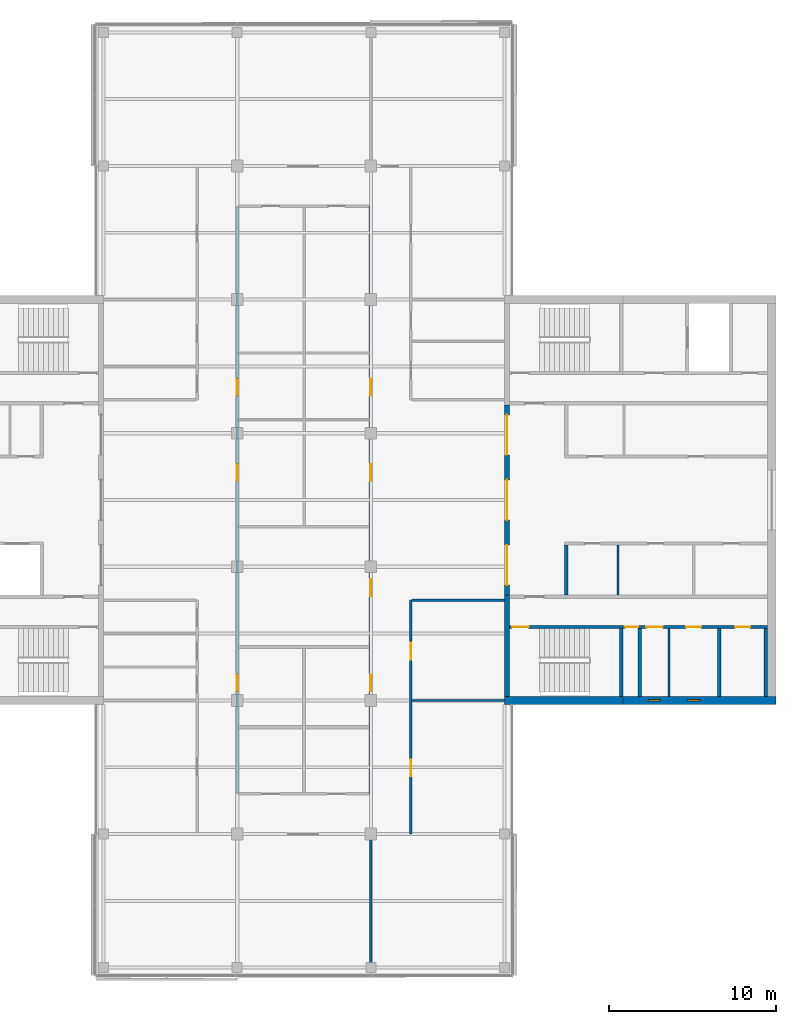
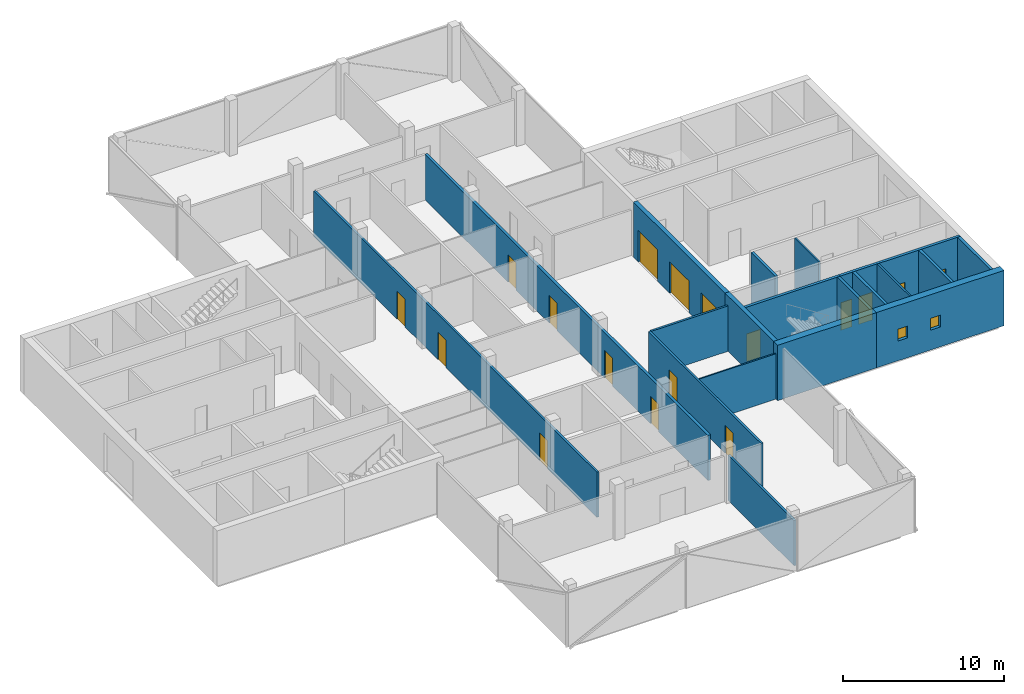
# One storey, part 10 of 16: 19 walls, 17 doors, 2 windows, 19 openings.
"""IFC4 building model written with IfcOpenShell, lengths in metres."""

from ifc_helpers import new_model, si_unit, direction, frame, frame_2d, origin, place, context, subcontext, project, spatial, rectangle, extrude, material, layer, layer_set, constituent, constituent_set, type_object, element, fill, save


model = new_model("IFC4")

# Units and contexts
model_context = context("Model", 3, precision=1e-05, world=origin(), true_north=direction((0.0, 1.0)))
body_context = subcontext(model_context, "Body", "Model", "MODEL_VIEW")
ifc_project = project(units=[si_unit("LENGTHUNIT", "METRE"), si_unit("AREAUNIT", "SQUARE_METRE"), si_unit("VOLUMEUNIT", "CUBIC_METRE"), si_unit("PLANEANGLEUNIT", "RADIAN"), si_unit("MASSUNIT", "GRAM", prefix="KILO")], contexts=[model_context])

# Site, building, storey
site_placement = place(None, origin())
site = spatial("IfcSite", under=ifc_project, at=site_placement, CompositionType="ELEMENT")
building_placement = place(site_placement, origin())
building = spatial("IfcBuilding", under=site, at=building_placement, Name="Crosswind Convention Tower", CompositionType="ELEMENT")
storey_placement = place(building_placement, frame((0.0, 0.0, 278.699951171875)))
storey = spatial("IfcBuildingStorey", under=building, at=storey_placement, Name="L60", CompositionType="ELEMENT", Elevation=278.699951171875)

# Wall
ifc_material_1 = material(Name="Concrete blockwork", Category="masonry")
ifc_layer_1 = layer(ifc_material_1, 0.199951171875)
ifc_layer_set_1 = layer_set([ifc_layer_1], Name="Blockwork partition wall 200")
wall_type_1 = type_object("IfcWallType", Name="Blockwork partition wall 200", PredefinedType="PARTITIONING", material=ifc_layer_set_1)
wall_1_placement = place(storey_placement, frame((145.10009765625, 88.25, 0.0), z_axis=(0.0, 0.0, 1.0), x_axis=(0.0, 1.0, 0.0)))
element("IfcWall", 1, at=wall_1_placement, inside=storey, type_object=wall_type_1, Name="Wall MRSE E L60", PredefinedType="PARTITIONING", context=body_context, shape_type="SweptSolid", body=[
    extrude(rectangle(XDim=4.050048828125, YDim=0.199951171875, at=frame_2d((2.02490234375, 0.0))), origin(), (0.0, 0.0, 1.0), 4.199951171875),
])

# Wall, openings, doors
ifc_layer_2 = layer(ifc_material_1, 0.199951171875)
ifc_layer_set_2 = layer_set([ifc_layer_2], Name="COMPARTMENT WALL 200 BLOCKWORK")
wall_type_2 = type_object("IfcWallType", Name="COMPARTMENT WALL 200 BLOCKWORK", PredefinedType="SOLIDWALL", material=ifc_layer_set_2)
wall_2_placement = place(storey_placement, frame((129.0, 82.39990234375, 0.0), z_axis=(0.0, 0.0, 1.0), x_axis=(0.0, 1.0, 0.0)))
wall_2 = element("IfcWall", 2, at=wall_2_placement, inside=storey, type_object=wall_type_2, Name="Compartment wall WT42", PredefinedType="SOLIDWALL", context=body_context, shape_type="SweptSolid", body=[
    extrude(rectangle(XDim=35.2001953125, YDim=0.199951171875, at=frame_2d((17.60009765625, 0.0))), origin(), (0.0, 0.0, 1.0), 3.44287109375),
])
opening_1_placement = place(wall_2_placement, frame((6.14990234375, 0.0, 0.0)))
opening_1 = element("IfcOpeningElement", 3, at=opening_1_placement, cuts=wall_2, Name="Opening L60-68", PredefinedType="OPENING", context=body_context, shape_type="SweptSolid", body=[
    extrude(rectangle(XDim=1.0, YDim=2.10009765625, at=frame_2d((0.5, 1.050048828125))), frame((0.0, 0.10986328125, 0.0), z_axis=(0.0, -1.0, 0.0), x_axis=(1.0, 0.0, 0.0)), (0.0, 0.0, 1.0), 0.219970703125),
])
opening_2_placement = place(wall_2_placement, frame((11.85009765625, 0.0, 0.0)))
opening_2 = element("IfcOpeningElement", 4, at=opening_2_placement, cuts=wall_2, Name="Opening L60-69", PredefinedType="OPENING", context=body_context, shape_type="SweptSolid", body=[
    extrude(rectangle(XDim=1.0, YDim=2.10009765625, at=frame_2d((0.5, 1.050048828125))), frame((0.0, 0.10986328125, 0.0), z_axis=(0.0, -1.0, 0.0), x_axis=(1.0, 0.0, 0.0)), (0.0, 0.0, 1.0), 0.219970703125),
])
opening_3_placement = place(wall_2_placement, frame((18.75, 0.0, 0.0)))
opening_3 = element("IfcOpeningElement", 5, at=opening_3_placement, cuts=wall_2, Name="Opening L60-71", PredefinedType="OPENING", context=body_context, shape_type="SweptSolid", body=[
    extrude(rectangle(XDim=1.0, YDim=2.10009765625, at=frame_2d((0.5, 1.050048828125))), frame((0.0, 0.10986328125, 0.0), z_axis=(0.0, -1.0, 0.0), x_axis=(1.0, 0.0, 0.0)), (0.0, 0.0, 1.0), 0.219970703125),
])
opening_4_placement = place(wall_2_placement, frame((23.85009765625, 0.0, 0.0)))
opening_4 = element("IfcOpeningElement", 6, at=opening_4_placement, cuts=wall_2, Name="Opening L60-73", PredefinedType="OPENING", context=body_context, shape_type="SweptSolid", body=[
    extrude(rectangle(XDim=1.0, YDim=2.10009765625, at=frame_2d((0.5, 1.050048828125))), frame((0.0, 0.10986328125, 0.0), z_axis=(0.0, -1.0, 0.0), x_axis=(1.0, 0.0, 0.0)), (0.0, 0.0, 1.0), 0.219970703125),
])
ifc_material_2 = material(Name="Steel fire door", Category="steel")
door_type_1 = type_object("IfcDoorType", Name="PLANT ROOM DOOR 1000X2100 FD60", OperationType="NOTDEFINED", PredefinedType="DOOR", material=ifc_material_2)
door_1_placement = place(opening_1_placement, origin())
door_1 = element("IfcDoor", 7, at=door_1_placement, inside=storey, type_object=door_type_1, Name="Door L60-68", ObjectType="D43", OperationType="SINGLE_SWING_LEFT", OverallHeight=2.10009765625, OverallWidth=1.0, PredefinedType="DOOR", context=body_context, shape_type="SweptSolid", body=[
    extrude(rectangle(XDim=1.0, YDim=2.10009765625, at=frame_2d((0.5, 1.050048828125))), frame((0.0, 0.02490234375, 0.0), z_axis=(0.0, -1.0, 0.0), x_axis=(1.0, 0.0, 0.0)), (0.0, 0.0, 1.0), 0.050048828125),
])
fill(opening_1, door_1)
ifc_material_3 = material(Name="Timber fire door", Category="wood")
door_type_2 = type_object("IfcDoorType", Name="TENANCY ENTRANCE DOOR 1000X2100 FD30S", OperationType="NOTDEFINED", PredefinedType="DOOR", material=ifc_material_3)
door_2_placement = place(opening_2_placement, origin())
door_2 = element("IfcDoor", 8, at=door_2_placement, inside=storey, type_object=door_type_2, Name="Door L60-69", ObjectType="D41", OperationType="SINGLE_SWING_RIGHT", OverallHeight=2.10009765625, OverallWidth=1.0, PredefinedType="DOOR", context=body_context, shape_type="SweptSolid", body=[
    extrude(rectangle(XDim=1.0, YDim=2.10009765625, at=frame_2d((0.5, 1.050048828125))), frame((0.0, 0.02490234375, 0.0), z_axis=(0.0, -1.0, 0.0), x_axis=(1.0, 0.0, 0.0)), (0.0, 0.0, 1.0), 0.050048828125),
])
fill(opening_2, door_2)
door_3_placement = place(opening_3_placement, origin())
door_3 = element("IfcDoor", 9, at=door_3_placement, inside=storey, type_object=door_type_2, Name="Door L60-71", ObjectType="D41", OperationType="SINGLE_SWING_RIGHT", OverallHeight=2.10009765625, OverallWidth=1.0, PredefinedType="DOOR", context=body_context, shape_type="SweptSolid", body=[
    extrude(rectangle(XDim=1.0, YDim=2.10009765625, at=frame_2d((0.5, 1.050048828125))), frame((0.0, 0.02490234375, 0.0), z_axis=(0.0, -1.0, 0.0), x_axis=(1.0, 0.0, 0.0)), (0.0, 0.0, 1.0), 0.050048828125),
])
fill(opening_3, door_3)
door_4_placement = place(opening_4_placement, origin())
door_4 = element("IfcDoor", 10, at=door_4_placement, inside=storey, type_object=door_type_2, Name="Door L60-73", ObjectType="D41", OperationType="SINGLE_SWING_LEFT", OverallHeight=2.10009765625, OverallWidth=1.0, PredefinedType="DOOR", context=body_context, shape_type="SweptSolid", body=[
    extrude(rectangle(XDim=1.0, YDim=2.10009765625, at=frame_2d((0.5, 1.050048828125))), frame((0.0, 0.02490234375, 0.0), z_axis=(0.0, -1.0, 0.0), x_axis=(1.0, 0.0, 0.0)), (0.0, 0.0, 1.0), 0.050048828125),
])
fill(opening_4, door_4)

ifc_material_4 = material(Name="Concrete C50/60", Category="concrete")
ifc_layer_3 = layer(ifc_material_4, 0.300048828125)
ifc_layer_set_3 = layer_set([ifc_layer_3], Name="Concrete C50/60")
wall_type_3 = type_object("IfcWallType", Name="Concrete inner core wall 300", PredefinedType="SHEAR", material=ifc_layer_set_3)
wall_3_placement = place(storey_placement, frame((137.14990234375, 94.300048828125, 0.0), z_axis=(0.0, 0.0, 1.0), x_axis=(0.0, 1.0, 0.0)))
wall_3 = element("IfcWall", 11, at=wall_3_placement, inside=storey, type_object=wall_type_3, Name="Wall SCR E L60", PredefinedType="SHEAR", context=body_context, shape_type="SweptSolid", body=[
    extrude(rectangle(XDim=11.39990234375, YDim=0.300048828125, at=frame_2d((5.699951171875, 0.0))), origin(), (0.0, 0.0, 1.0), 4.199951171875),
])
opening_5_placement = place(wall_3_placement, frame((0.60009765625, 0.0, 0.0)))
opening_5 = element("IfcOpeningElement", 12, at=opening_5_placement, cuts=wall_3, Name="Opening D100", PredefinedType="OPENING", context=body_context, shape_type="SweptSolid", body=[
    extrude(rectangle(XDim=2.39990234375, YDim=2.39990234375, at=frame_2d((1.199951171875, 1.199951171875))), frame((0.0, 0.159912109375, 0.0), z_axis=(0.0, -1.0, 0.0), x_axis=(1.0, 0.0, 0.0)), (0.0, 0.0, 1.0), 0.320068359375),
])
opening_6_placement = place(wall_3_placement, frame((4.5, 0.0, 0.0)))
opening_6 = element("IfcOpeningElement", 13, at=opening_6_placement, cuts=wall_3, Name="Opening D100", PredefinedType="OPENING", context=body_context, shape_type="SweptSolid", body=[
    extrude(rectangle(XDim=2.39990234375, YDim=2.39990234375, at=frame_2d((1.199951171875, 1.199951171875))), frame((0.0, 0.159912109375, 0.0), z_axis=(0.0, -1.0, 0.0), x_axis=(1.0, 0.0, 0.0)), (0.0, 0.0, 1.0), 0.320068359375),
])
opening_7_placement = place(wall_3_placement, frame((8.39990234375, 0.0, 0.0)))
opening_7 = element("IfcOpeningElement", 14, at=opening_7_placement, cuts=wall_3, Name="Opening D100", PredefinedType="OPENING", context=body_context, shape_type="SweptSolid", body=[
    extrude(rectangle(XDim=2.39990234375, YDim=2.39990234375, at=frame_2d((1.199951171875, 1.199951171875))), frame((0.0, 0.159912109375, 0.0), z_axis=(0.0, -1.0, 0.0), x_axis=(1.0, 0.0, 0.0)), (0.0, 0.0, 1.0), 0.320068359375),
])
ifc_material_5 = material(Name="Steel fire door with glazed vision panels", Category="steel")
door_type_3 = type_object("IfcDoorType", Name="Fire-rated double door 2400x2400", OperationType="DOUBLE_DOOR_SINGLE_SWING", PredefinedType="DOOR", material=ifc_material_5)
door_5_placement = place(opening_5_placement, origin())
door_5 = element("IfcDoor", 15, at=door_5_placement, inside=storey, type_object=door_type_3, Name="Lobby door 1 L60", ObjectType="D100", OperationType="DOUBLE_DOOR_SINGLE_SWING", OverallHeight=2.39990234375, OverallWidth=2.39990234375, PredefinedType="DOOR", context=body_context, shape_type="SweptSolid", body=[
    extrude(rectangle(XDim=2.39990234375, YDim=2.39990234375, at=frame_2d((1.199951171875, 1.199951171875))), frame((0.0, 0.02490234375, 0.0), z_axis=(0.0, -1.0, 0.0), x_axis=(1.0, 0.0, 0.0)), (0.0, 0.0, 1.0), 0.050048828125),
])
fill(opening_5, door_5)
door_6_placement = place(opening_6_placement, origin())
door_6 = element("IfcDoor", 16, at=door_6_placement, inside=storey, type_object=door_type_3, Name="Lobby door 2 L60", ObjectType="D100", OperationType="DOUBLE_DOOR_SINGLE_SWING", OverallHeight=2.39990234375, OverallWidth=2.39990234375, PredefinedType="DOOR", context=body_context, shape_type="SweptSolid", body=[
    extrude(rectangle(XDim=2.39990234375, YDim=2.39990234375, at=frame_2d((1.199951171875, 1.199951171875))), frame((0.0, 0.02490234375, 0.0), z_axis=(0.0, -1.0, 0.0), x_axis=(1.0, 0.0, 0.0)), (0.0, 0.0, 1.0), 0.050048828125),
])
fill(opening_6, door_6)
door_7_placement = place(opening_7_placement, origin())
door_7 = element("IfcDoor", 17, at=door_7_placement, inside=storey, type_object=door_type_3, Name="Lobby door 3 L60", ObjectType="D100", OperationType="DOUBLE_DOOR_SINGLE_SWING", OverallHeight=2.39990234375, OverallWidth=2.39990234375, PredefinedType="DOOR", context=body_context, shape_type="SweptSolid", body=[
    extrude(rectangle(XDim=2.39990234375, YDim=2.39990234375, at=frame_2d((1.199951171875, 1.199951171875))), frame((0.0, 0.02490234375, 0.0), z_axis=(0.0, -1.0, 0.0), x_axis=(1.0, 0.0, 0.0)), (0.0, 0.0, 1.0), 0.050048828125),
])
fill(opening_7, door_7)

# Walls
wall_4_placement = place(storey_placement, frame((137.14990234375, 88.25, 0.0), z_axis=(0.0, 0.0, 1.0), x_axis=(0.0, 1.0, 0.0)))
element("IfcWall", 18, at=wall_4_placement, inside=storey, type_object=wall_type_3, Name="Wall EM E L60", PredefinedType="SHEAR", context=body_context, shape_type="SweptSolid", body=[
    extrude(rectangle(XDim=6.050048828125, YDim=0.300048828125, at=frame_2d((3.02490234375, 0.0))), origin(), (0.0, 0.0, 1.0), 4.199951171875),
])
ifc_layer_4 = layer(ifc_material_4, 0.199951171875)
ifc_layer_set_4 = layer_set([ifc_layer_4], Name="Concrete C50/60")
wall_type_4 = type_object("IfcWallType", Name="Concrete shaft and stair wall 200", PredefinedType="SHEAR", material=ifc_layer_set_4)
wall_5_placement = place(storey_placement, frame((140.699951171875, 94.300048828125, 0.0), z_axis=(0.0, 0.0, 1.0), x_axis=(0.0, 1.0, 0.0)))
element("IfcWall", 19, at=wall_5_placement, inside=storey, type_object=wall_type_4, Name="Wall RMEND E L60", PredefinedType="SHEAR", context=body_context, shape_type="SweptSolid", body=[
    extrude(rectangle(XDim=3.0, YDim=0.199951171875, at=frame_2d((1.5, 0.0))), origin(), (0.0, 0.0, 1.0), 4.199951171875),
])
for number, where, z_axis, x_axis, name in (
    (20, (144.0, 88.25, 0.0), (0.0, 0.0, 1.0), (0.0, 1.0, 0.0), "Wall MSE E L60"),
    (21, (149.85009765625, 88.25, 0.0), (0.0, 0.0, 1.0), (0.0, 1.0, 0.0), "Wall MFSW E L60"),
    (22, (152.64990234375, 88.25, 0.0), (0.0, 0.0, 1.0), (0.0, 1.0, 0.0), "Wall MFSE E L60"),
):
    element("IfcWall", number, at=place(storey_placement, frame(where, z_axis=z_axis, x_axis=x_axis)), inside=storey, type_object=wall_type_4, Name=name, PredefinedType="SHEAR", context=body_context, shape_type="SweptSolid", body=[
        extrude(rectangle(XDim=4.050048828125, YDim=0.199951171875, at=frame_2d((2.02490234375, 0.0))), origin(), (0.0, 0.0, 1.0), 4.199951171875),
    ])

# Wall, opening, door
wall_6_placement = place(storey_placement, frame((137.300048828125, 92.39990234375, 0.0), z_axis=(0.0, 0.0, 1.0), x_axis=(1.0, 0.0, 0.0)))
wall_6 = element("IfcWall", 23, at=wall_6_placement, inside=storey, type_object=wall_type_4, Name="Wall MCW E L60", PredefinedType="SHEAR", context=body_context, shape_type="SweptSolid", body=[
    extrude(rectangle(XDim=6.800048828125, YDim=0.199951171875, at=frame_2d((3.39990234375, 0.0))), origin(), (0.0, 0.0, 1.0), 4.199951171875),
])
opening_8_placement = place(wall_6_placement, frame((0.14990234375, 0.0, 0.0)))
opening_8 = element("IfcOpeningElement", 24, at=opening_8_placement, cuts=wall_6, Name="Opening D103", PredefinedType="OPENING", context=body_context, shape_type="SweptSolid", body=[
    extrude(rectangle(XDim=1.0, YDim=2.10009765625, at=frame_2d((0.5, 1.050048828125))), frame((0.0, 0.10986328125, 0.0), z_axis=(0.0, -1.0, 0.0), x_axis=(1.0, 0.0, 0.0)), (0.0, 0.0, 1.0), 0.219970703125),
])
door_type_4 = type_object("IfcDoorType", Name="Fire-rated single door 1000x2100", OperationType="NOTDEFINED", PredefinedType="DOOR", material=ifc_material_2)
door_8_placement = place(opening_8_placement, frame((1.0, 0.0, 0.0), z_axis=(0.0, 0.0, 1.0), x_axis=(-1.0, 0.0, 0.0)))
door_8 = element("IfcDoor", 25, at=door_8_placement, inside=storey, type_object=door_type_4, Name="Stair ST2 door L60", ObjectType="D103", OperationType="SINGLE_SWING_RIGHT", OverallHeight=2.10009765625, OverallWidth=1.0, PredefinedType="DOOR", context=body_context, shape_type="SweptSolid", body=[
    extrude(rectangle(XDim=1.0, YDim=2.10009765625, at=frame_2d((0.5, 1.050048828125))), frame((0.0, 0.02490234375, 0.0), z_axis=(0.0, -1.0, 0.0), x_axis=(1.0, 0.0, 0.0)), (0.0, 0.0, 1.0), 0.050048828125),
])
fill(opening_8, door_8)

# Wall, openings, doors
wall_7_placement = place(storey_placement, frame((144.10009765625, 92.39990234375, 0.0), z_axis=(0.0, 0.0, 1.0), x_axis=(1.0, 0.0, 0.0)))
wall_7 = element("IfcWall", 26, at=wall_7_placement, inside=storey, type_object=wall_type_4, Name="Wall MCX E L60", PredefinedType="SHEAR", context=body_context, shape_type="SweptSolid", body=[
    extrude(rectangle(XDim=8.64990234375, YDim=0.199951171875, at=frame_2d((4.324951171875, 0.0))), origin(), (0.0, 0.0, 1.0), 4.199951171875),
])
opening_9_placement = place(wall_7_placement, frame((0.10009765625, 0.0, 0.0)))
opening_9 = element("IfcOpeningElement", 27, at=opening_9_placement, cuts=wall_7, Name="Opening D105", PredefinedType="OPENING", context=body_context, shape_type="SweptSolid", body=[
    extrude(rectangle(XDim=0.800048828125, YDim=2.10009765625, at=frame_2d((0.39990234375, 1.050048828125))), frame((0.0, 0.10986328125, 0.0), z_axis=(0.0, -1.0, 0.0), x_axis=(1.0, 0.0, 0.0)), (0.0, 0.0, 1.0), 0.219970703125),
])
opening_10_placement = place(wall_7_placement, frame((1.3876953125, 0.0, 0.0)))
opening_10 = element("IfcOpeningElement", 28, at=opening_10_placement, cuts=wall_7, Name="Opening D103", PredefinedType="OPENING", context=body_context, shape_type="SweptSolid", body=[
    extrude(rectangle(XDim=1.0, YDim=2.10009765625, at=frame_2d((0.5, 1.050048828125))), frame((0.0, 0.10986328125, 0.0), z_axis=(0.0, -1.0, 0.0), x_axis=(1.0, 0.0, 0.0)), (0.0, 0.0, 1.0), 0.219970703125),
])
opening_11_placement = place(wall_7_placement, frame((3.775146484375, 0.0, 0.0)))
opening_11 = element("IfcOpeningElement", 29, at=opening_11_placement, cuts=wall_7, Name="Opening D106", PredefinedType="OPENING", context=body_context, shape_type="SweptSolid", body=[
    extrude(rectangle(XDim=0.89990234375, YDim=2.10009765625, at=frame_2d((0.449951171875, 1.050048828125))), frame((0.0, 0.10986328125, 0.0), z_axis=(0.0, -1.0, 0.0), x_axis=(1.0, 0.0, 0.0)), (0.0, 0.0, 1.0), 0.219970703125),
])
opening_12_placement = place(wall_7_placement, frame((6.699951171875, 0.0, 0.0)))
opening_12 = element("IfcOpeningElement", 30, at=opening_12_placement, cuts=wall_7, Name="Opening D106", PredefinedType="OPENING", context=body_context, shape_type="SweptSolid", body=[
    extrude(rectangle(XDim=0.89990234375, YDim=2.10009765625, at=frame_2d((0.449951171875, 1.050048828125))), frame((0.0, 0.10986328125, 0.0), z_axis=(0.0, -1.0, 0.0), x_axis=(1.0, 0.0, 0.0)), (0.0, 0.0, 1.0), 0.219970703125),
])
door_9_placement = place(opening_10_placement, frame((1.0, 0.0, 0.0), z_axis=(0.0, 0.0, 1.0), x_axis=(-1.0, 0.0, 0.0)))
door_9 = element("IfcDoor", 31, at=door_9_placement, inside=storey, type_object=door_type_4, Name="Door to accessible wc L60", ObjectType="D103", OperationType="SINGLE_SWING_LEFT", OverallHeight=2.10009765625, OverallWidth=1.0, PredefinedType="DOOR", context=body_context, shape_type="SweptSolid", body=[
    extrude(rectangle(XDim=1.0, YDim=2.10009765625, at=frame_2d((0.5, 1.050048828125))), frame((0.0, 0.02490234375, 0.0), z_axis=(0.0, -1.0, 0.0), x_axis=(1.0, 0.0, 0.0)), (0.0, 0.0, 1.0), 0.050048828125),
])
fill(opening_10, door_9)
door_type_5 = type_object("IfcDoorType", Name="Riser access door 800x2100", OperationType="NOTDEFINED", PredefinedType="DOOR", material=ifc_material_2)
door_10_placement = place(opening_9_placement, frame((0.800048828125, 0.0, 0.0), z_axis=(0.0, 0.0, 1.0), x_axis=(-1.0, 0.0, 0.0)))
door_10 = element("IfcDoor", 32, at=door_10_placement, inside=storey, type_object=door_type_5, Name="Riser door L60", ObjectType="D105", OperationType="SINGLE_SWING_LEFT", OverallHeight=2.10009765625, OverallWidth=0.800048828125, PredefinedType="DOOR", context=body_context, shape_type="SweptSolid", body=[
    extrude(rectangle(XDim=0.800048828125, YDim=2.10009765625, at=frame_2d((0.39990234375, 1.050048828125))), frame((0.0, 0.02490234375, 0.0), z_axis=(0.0, -1.0, 0.0), x_axis=(1.0, 0.0, 0.0)), (0.0, 0.0, 1.0), 0.050048828125),
])
fill(opening_9, door_10)
ifc_material_6 = material(Name="Timber door", Category="wood")
door_type_6 = type_object("IfcDoorType", Name="Single leaf door 900x2100", OperationType="NOTDEFINED", PredefinedType="DOOR", material=ifc_material_6)
door_11_placement = place(opening_11_placement, frame((0.89990234375, 0.0, 0.0), z_axis=(0.0, 0.0, 1.0), x_axis=(-1.0, 0.0, 0.0)))
door_11 = element("IfcDoor", 33, at=door_11_placement, inside=storey, type_object=door_type_6, Name="Door to wc L60", ObjectType="D106", OperationType="SINGLE_SWING_LEFT", OverallHeight=2.10009765625, OverallWidth=0.89990234375, PredefinedType="DOOR", context=body_context, shape_type="SweptSolid", body=[
    extrude(rectangle(XDim=0.89990234375, YDim=2.10009765625, at=frame_2d((0.449951171875, 1.050048828125))), frame((0.0, 0.02490234375, 0.0), z_axis=(0.0, -1.0, 0.0), x_axis=(1.0, 0.0, 0.0)), (0.0, 0.0, 1.0), 0.050048828125),
])
fill(opening_11, door_11)
door_12_placement = place(opening_12_placement, frame((0.89990234375, 0.0, 0.0), z_axis=(0.0, 0.0, 1.0), x_axis=(-1.0, 0.0, 0.0)))
door_12 = element("IfcDoor", 34, at=door_12_placement, inside=storey, type_object=door_type_6, Name="Door to wc L60", ObjectType="D106", OperationType="SINGLE_SWING_LEFT", OverallHeight=2.10009765625, OverallWidth=0.89990234375, PredefinedType="DOOR", context=body_context, shape_type="SweptSolid", body=[
    extrude(rectangle(XDim=0.89990234375, YDim=2.10009765625, at=frame_2d((0.449951171875, 1.050048828125))), frame((0.0, 0.02490234375, 0.0), z_axis=(0.0, -1.0, 0.0), x_axis=(1.0, 0.0, 0.0)), (0.0, 0.0, 1.0), 0.050048828125),
])
fill(opening_12, door_12)

# Walls
ifc_material_7 = material(Name="Gypsum plasterboard partition", Category="gypsum")
ifc_layer_5 = layer(ifc_material_7, 0.125)
ifc_layer_set_5 = layer_set([ifc_layer_5], Name="Drywall partition wall 125")
wall_type_5 = type_object("IfcWallType", Name="Drywall partition wall 125", PredefinedType="PARTITIONING", material=ifc_layer_set_5)
wall_8_placement = place(storey_placement, frame((143.78759765625, 94.300048828125, 0.0), z_axis=(0.0, 0.0, 1.0), x_axis=(0.0, 1.0, 0.0)))
element("IfcWall", 35, at=wall_8_placement, inside=storey, type_object=wall_type_5, Name="Wall RMP1 E L60", PredefinedType="PARTITIONING", context=body_context, shape_type="SweptSolid", body=[
    extrude(rectangle(XDim=3.0, YDim=0.125, at=frame_2d((1.5, 0.0))), origin(), (0.0, 0.0, 1.0), 4.199951171875),
])
wall_9_placement = place(storey_placement, frame((146.837890625, 88.25, 0.0), z_axis=(0.0, 0.0, 1.0), x_axis=(0.0, 1.0, 0.0)))
element("IfcWall", 36, at=wall_9_placement, inside=storey, type_object=wall_type_5, Name="Wall MWP1 E L60", PredefinedType="PARTITIONING", context=body_context, shape_type="SweptSolid", body=[
    extrude(rectangle(XDim=4.050048828125, YDim=0.125, at=frame_2d((2.02490234375, 0.0))), origin(), (0.0, 0.0, 1.0), 4.199951171875),
])
ifc_material_8 = material(Name="Plasterboard partition", Category="gypsum")
ifc_layer_6 = layer(ifc_material_8, 0.10009765625)
ifc_layer_set_6 = layer_set([ifc_layer_6], Name="PARTITION 100 METAL STUD")
wall_type_6 = type_object("IfcWallType", Name="PARTITION 100 METAL STUD", PredefinedType="PARTITIONING", material=ifc_layer_set_6)
wall_10_placement = place(storey_placement, frame((131.47509765625, 88.0, 0.0), z_axis=(0.0, 0.0, 1.0), x_axis=(1.0, 0.0, 0.0)))
element("IfcWall", 37, at=wall_10_placement, inside=storey, type_object=wall_type_6, Name="Partition wall WT40", PredefinedType="PARTITIONING", context=body_context, shape_type="SweptSolid", body=[
    extrude(rectangle(XDim=5.52490234375, YDim=0.10009765625, at=frame_2d((2.762451171875, 0.0))), origin(), (0.0, 0.0, 1.0), 3.44287109375),
])

# Wall, openings, doors
ifc_material_9 = material(Name="Fire-board partition with mineral wool", Category="gypsum")
ifc_layer_7 = layer(ifc_material_9, 0.14990234375)
ifc_layer_set_7 = layer_set([ifc_layer_7], Name="TENANCY WALL 150 TWO-HOUR BOARD")
wall_type_7 = type_object("IfcWallType", Name="TENANCY WALL 150 TWO-HOUR BOARD", PredefinedType="PARTITIONING", material=ifc_layer_set_7)
wall_11_placement = place(storey_placement, frame((121.0, 82.39990234375, 0.0), z_axis=(0.0, 0.0, 1.0), x_axis=(0.0, 1.0, 0.0)))
wall_11 = element("IfcWall", 38, at=wall_11_placement, inside=storey, type_object=wall_type_7, Name="Tenancy wall WT41", PredefinedType="PARTITIONING", context=body_context, shape_type="SweptSolid", body=[
    extrude(rectangle(XDim=35.2001953125, YDim=0.14990234375, at=frame_2d((17.60009765625, 0.0))), origin(), (0.0, 0.0, 1.0), 3.44287109375),
])
opening_13_placement = place(wall_11_placement, frame((6.14990234375, 0.0, 0.0)))
opening_13 = element("IfcOpeningElement", 39, at=opening_13_placement, cuts=wall_11, Name="Opening L60-67", PredefinedType="OPENING", context=body_context, shape_type="SweptSolid", body=[
    extrude(rectangle(XDim=1.0, YDim=2.10009765625, at=frame_2d((0.5, 1.050048828125))), frame((0.0, 0.0849609375, 0.0), z_axis=(0.0, -1.0, 0.0), x_axis=(1.0, 0.0, 0.0)), (0.0, 0.0, 1.0), 0.169921875),
])
opening_14_placement = place(wall_11_placement, frame((18.75, 0.0, 0.0)))
opening_14 = element("IfcOpeningElement", 40, at=opening_14_placement, cuts=wall_11, Name="Opening L60-70", PredefinedType="OPENING", context=body_context, shape_type="SweptSolid", body=[
    extrude(rectangle(XDim=1.0, YDim=2.10009765625, at=frame_2d((0.5, 1.050048828125))), frame((0.0, 0.0849609375, 0.0), z_axis=(0.0, -1.0, 0.0), x_axis=(1.0, 0.0, 0.0)), (0.0, 0.0, 1.0), 0.169921875),
])
opening_15_placement = place(wall_11_placement, frame((23.85009765625, 0.0, 0.0)))
opening_15 = element("IfcOpeningElement", 41, at=opening_15_placement, cuts=wall_11, Name="Opening L60-72", PredefinedType="OPENING", context=body_context, shape_type="SweptSolid", body=[
    extrude(rectangle(XDim=1.0, YDim=2.10009765625, at=frame_2d((0.5, 1.050048828125))), frame((0.0, 0.0849609375, 0.0), z_axis=(0.0, -1.0, 0.0), x_axis=(1.0, 0.0, 0.0)), (0.0, 0.0, 1.0), 0.169921875),
])
door_13_placement = place(opening_13_placement, frame((1.0, 0.0, 0.0), z_axis=(0.0, 0.0, 1.0), x_axis=(-1.0, 0.0, 0.0)))
door_13 = element("IfcDoor", 42, at=door_13_placement, inside=storey, type_object=door_type_2, Name="Door L60-67", ObjectType="D41", OperationType="SINGLE_SWING_RIGHT", OverallHeight=2.10009765625, OverallWidth=1.0, PredefinedType="DOOR", context=body_context, shape_type="SweptSolid", body=[
    extrude(rectangle(XDim=1.0, YDim=2.10009765625, at=frame_2d((0.5, 1.050048828125))), frame((0.0, 0.02490234375, 0.0), z_axis=(0.0, -1.0, 0.0), x_axis=(1.0, 0.0, 0.0)), (0.0, 0.0, 1.0), 0.050048828125),
])
fill(opening_13, door_13)
door_14_placement = place(opening_14_placement, frame((1.0, 0.0, 0.0), z_axis=(0.0, 0.0, 1.0), x_axis=(-1.0, 0.0, 0.0)))
door_14 = element("IfcDoor", 43, at=door_14_placement, inside=storey, type_object=door_type_2, Name="Door L60-70", ObjectType="D41", OperationType="SINGLE_SWING_LEFT", OverallHeight=2.10009765625, OverallWidth=1.0, PredefinedType="DOOR", context=body_context, shape_type="SweptSolid", body=[
    extrude(rectangle(XDim=1.0, YDim=2.10009765625, at=frame_2d((0.5, 1.050048828125))), frame((0.0, 0.02490234375, 0.0), z_axis=(0.0, -1.0, 0.0), x_axis=(1.0, 0.0, 0.0)), (0.0, 0.0, 1.0), 0.050048828125),
])
fill(opening_14, door_14)
door_15_placement = place(opening_15_placement, frame((1.0, 0.0, 0.0), z_axis=(0.0, 0.0, 1.0), x_axis=(-1.0, 0.0, 0.0)))
door_15 = element("IfcDoor", 44, at=door_15_placement, inside=storey, type_object=door_type_2, Name="Door L60-72", ObjectType="D41", OperationType="SINGLE_SWING_RIGHT", OverallHeight=2.10009765625, OverallWidth=1.0, PredefinedType="DOOR", context=body_context, shape_type="SweptSolid", body=[
    extrude(rectangle(XDim=1.0, YDim=2.10009765625, at=frame_2d((0.5, 1.050048828125))), frame((0.0, 0.02490234375, 0.0), z_axis=(0.0, -1.0, 0.0), x_axis=(1.0, 0.0, 0.0)), (0.0, 0.0, 1.0), 0.050048828125),
])
fill(opening_15, door_15)

# Wall
wall_12_placement = place(storey_placement, frame((129.0, 71.72998046875, 0.0), z_axis=(0.0, 0.0, 1.0), x_axis=(0.0, 1.0, 0.0)))
element("IfcWall", 45, at=wall_12_placement, inside=storey, type_object=wall_type_7, Name="Tenancy wall WT41", PredefinedType="PARTITIONING", context=body_context, shape_type="SweptSolid", body=[
    extrude(rectangle(XDim=8.195068359375, YDim=0.14990234375, at=frame_2d((4.09765625, 0.0))), origin(), (0.0, 0.0, 1.0), 3.44287109375),
])

# Wall, openings, doors
wall_13_placement = place(storey_placement, frame((131.39990234375, 80.0, 0.0), z_axis=(0.0, 0.0, 1.0), x_axis=(0.0, 1.0, 0.0)))
wall_13 = element("IfcWall", 46, at=wall_13_placement, inside=storey, type_object=wall_type_7, Name="Tenancy wall WT41", PredefinedType="PARTITIONING", context=body_context, shape_type="SweptSolid", body=[
    extrude(rectangle(XDim=14.0, YDim=0.14990234375, at=frame_2d((7.0, 0.0))), origin(), (0.0, 0.0, 1.0), 3.44287109375),
])
opening_16_placement = place(wall_13_placement, frame((10.449951171875, 0.0, 0.0)))
opening_16 = element("IfcOpeningElement", 47, at=opening_16_placement, cuts=wall_13, Name="Opening L60-53", PredefinedType="OPENING", context=body_context, shape_type="SweptSolid", body=[
    extrude(rectangle(XDim=1.0, YDim=2.10009765625, at=frame_2d((0.5, 1.050048828125))), frame((0.0, 0.0849609375, 0.0), z_axis=(0.0, -1.0, 0.0), x_axis=(1.0, 0.0, 0.0)), (0.0, 0.0, 1.0), 0.169921875),
])
opening_17_placement = place(wall_13_placement, frame((3.449951171875, 0.0, 0.0)))
opening_17 = element("IfcOpeningElement", 48, at=opening_17_placement, cuts=wall_13, Name="Opening L60-54", PredefinedType="OPENING", context=body_context, shape_type="SweptSolid", body=[
    extrude(rectangle(XDim=1.0, YDim=2.10009765625, at=frame_2d((0.5, 1.050048828125))), frame((0.0, 0.0849609375, 0.0), z_axis=(0.0, -1.0, 0.0), x_axis=(1.0, 0.0, 0.0)), (0.0, 0.0, 1.0), 0.169921875),
])
door_16_placement = place(opening_16_placement, frame((1.0, 0.0, 0.0), z_axis=(0.0, 0.0, 1.0), x_axis=(-1.0, 0.0, 0.0)))
door_16 = element("IfcDoor", 49, at=door_16_placement, inside=storey, type_object=door_type_2, Name="Door L60-53", ObjectType="D41", OperationType="SINGLE_SWING_RIGHT", OverallHeight=2.10009765625, OverallWidth=1.0, PredefinedType="DOOR", context=body_context, shape_type="SweptSolid", body=[
    extrude(rectangle(XDim=1.0, YDim=2.10009765625, at=frame_2d((0.5, 1.050048828125))), frame((0.0, 0.02490234375, 0.0), z_axis=(0.0, -1.0, 0.0), x_axis=(1.0, 0.0, 0.0)), (0.0, 0.0, 1.0), 0.050048828125),
])
fill(opening_16, door_16)
door_17_placement = place(opening_17_placement, frame((1.0, 0.0, 0.0), z_axis=(0.0, 0.0, 1.0), x_axis=(-1.0, 0.0, 0.0)))
door_17 = element("IfcDoor", 50, at=door_17_placement, inside=storey, type_object=door_type_2, Name="Door L60-54", ObjectType="D41", OperationType="SINGLE_SWING_LEFT", OverallHeight=2.10009765625, OverallWidth=1.0, PredefinedType="DOOR", context=body_context, shape_type="SweptSolid", body=[
    extrude(rectangle(XDim=1.0, YDim=2.10009765625, at=frame_2d((0.5, 1.050048828125))), frame((0.0, 0.02490234375, 0.0), z_axis=(0.0, -1.0, 0.0), x_axis=(1.0, 0.0, 0.0)), (0.0, 0.0, 1.0), 0.050048828125),
])
fill(opening_17, door_17)

# Walls
wall_14_placement = place(storey_placement, frame((131.47509765625, 94.0, 0.0), z_axis=(0.0, 0.0, 1.0), x_axis=(1.0, 0.0, 0.0)))
element("IfcWall", 51, at=wall_14_placement, inside=storey, type_object=wall_type_7, Name="Tenancy wall WT41", PredefinedType="PARTITIONING", context=body_context, shape_type="SweptSolid", body=[
    extrude(rectangle(XDim=5.52490234375, YDim=0.14990234375, at=frame_2d((2.762451171875, 0.0))), origin(), (0.0, 0.0, 1.0), 3.44287109375),
])
ifc_material_10 = material(Name="Concrete C60/75", Category="concrete")
ifc_constituent_1 = constituent(ifc_material_10, Name="Structure")
ifc_material_11 = material(Name="Terracotta rainscreen", Category="ceramic")
ifc_constituent_2 = constituent(ifc_material_11, Name="Facing")
ifc_constituent_set = constituent_set(constituents=[ifc_constituent_1, ifc_constituent_2], Name="Concrete C60/75, Terracotta rainscreen")
wall_type_8 = type_object("IfcWallType", Name="Terracotta rainscreen on concrete core wall 500", PredefinedType="SHEAR", material=ifc_constituent_set)
wall_15_placement = place(storey_placement, frame((137.0, 88.0, 0.0), z_axis=(0.0, 0.0, 1.0), x_axis=(1.0, 0.0, 0.0)))
element("IfcWall", 52, at=wall_15_placement, inside=storey, type_object=wall_type_8, Name="Wall S1 E L60", PredefinedType="SHEAR", context=body_context, shape_type="SweptSolid", body=[
    extrude(rectangle(XDim=7.10009765625, YDim=0.5, at=frame_2d((3.550048828125, 0.0))), origin(), (0.0, 0.0, 1.0), 4.199951171875),
])

# Wall, openings, windows
wall_16_placement = place(storey_placement, frame((144.10009765625, 88.0, 0.0), z_axis=(0.0, 0.0, 1.0), x_axis=(1.0, 0.0, 0.0)))
wall_16 = element("IfcWall", 53, at=wall_16_placement, inside=storey, type_object=wall_type_8, Name="Wall S2 E L60", PredefinedType="SHEAR", context=body_context, shape_type="SweptSolid", body=[
    extrude(rectangle(XDim=9.14990234375, YDim=0.5, at=frame_2d((4.574951171875, 0.0))), origin(), (0.0, 0.0, 1.0), 4.199951171875),
])
opening_18_placement = place(wall_16_placement, frame((1.537841796875, 0.0, 1.5)))
opening_18 = element("IfcOpeningElement", 54, at=opening_18_placement, cuts=wall_16, Name="Opening W2", PredefinedType="OPENING", context=body_context, shape_type="SweptSolid", body=[
    extrude(rectangle(XDim=0.699951171875, YDim=0.89990234375, at=frame_2d((0.35009765625, 0.449951171875))), frame((0.0, 0.260009765625, 0.0), z_axis=(0.0, -1.0, 0.0), x_axis=(1.0, 0.0, 0.0)), (0.0, 0.0, 1.0), 0.52001953125),
])
opening_19_placement = place(wall_16_placement, frame((3.875244140625, 0.0, 1.5)))
opening_19 = element("IfcOpeningElement", 55, at=opening_19_placement, cuts=wall_16, Name="Opening W2", PredefinedType="OPENING", context=body_context, shape_type="SweptSolid", body=[
    extrude(rectangle(XDim=0.699951171875, YDim=0.89990234375, at=frame_2d((0.35009765625, 0.449951171875))), frame((0.0, 0.260009765625, 0.0), z_axis=(0.0, -1.0, 0.0), x_axis=(1.0, 0.0, 0.0)), (0.0, 0.0, 1.0), 0.52001953125),
])
ifc_material_12 = material(Name="Obscure glass in aluminium frame", Category="aluminium")
window_type = type_object("IfcWindowType", Name="WC window 700x900", PartitioningType="SINGLE_PANEL", PredefinedType="WINDOW", material=ifc_material_12)
window_1_placement = place(opening_18_placement, origin())
window_1 = element("IfcWindow", 56, at=window_1_placement, inside=storey, type_object=window_type, Name="WC window L60", ObjectType="W2", OverallHeight=0.89990234375, OverallWidth=0.699951171875, PartitioningType="SINGLE_PANEL", PredefinedType="WINDOW", context=body_context, shape_type="SweptSolid", body=[
    extrude(rectangle(XDim=0.699951171875, YDim=0.89990234375, at=frame_2d((0.35009765625, 0.449951171875))), frame((0.0, 0.030029296875, 0.0), z_axis=(0.0, -1.0, 0.0), x_axis=(1.0, 0.0, 0.0)), (0.0, 0.0, 1.0), 0.06005859375),
])
fill(opening_18, window_1)
window_2_placement = place(opening_19_placement, origin())
window_2 = element("IfcWindow", 57, at=window_2_placement, inside=storey, type_object=window_type, Name="WC window L60", ObjectType="W2", OverallHeight=0.89990234375, OverallWidth=0.699951171875, PartitioningType="SINGLE_PANEL", PredefinedType="WINDOW", context=body_context, shape_type="SweptSolid", body=[
    extrude(rectangle(XDim=0.699951171875, YDim=0.89990234375, at=frame_2d((0.35009765625, 0.449951171875))), frame((0.0, 0.030029296875, 0.0), z_axis=(0.0, -1.0, 0.0), x_axis=(1.0, 0.0, 0.0)), (0.0, 0.0, 1.0), 0.06005859375),
])
fill(opening_19, window_2)

save(model, "model.ifc")
